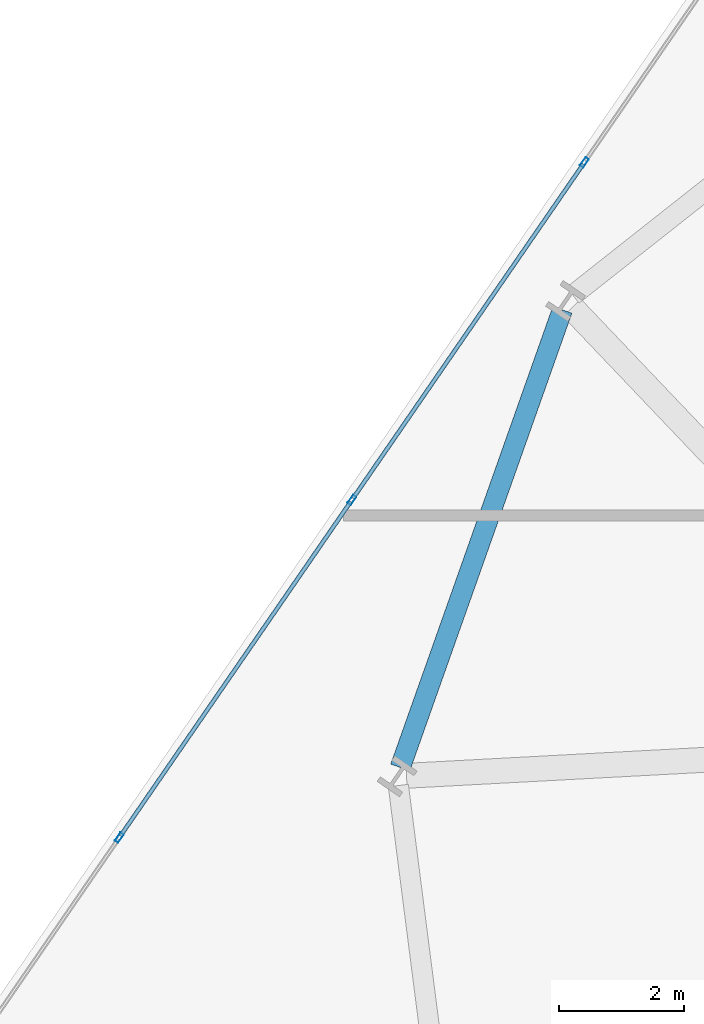
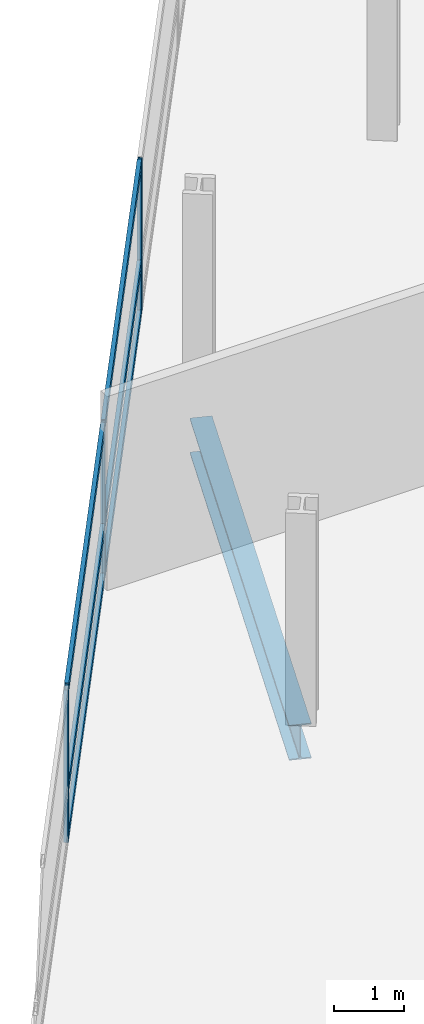
# One storey, part 4 of 24: 9 members, 1 beam, 1 element without a shape of its own.
"""IFC4 building model written with IfcOpenShell, lengths in metres."""

from ifc_helpers import new_model, si_unit, direction, frame, origin, origin_2d, place, context, subcontext, project, spatial, hollow_rectangle, i_section, extrude, material, layer, layer_set, material_profile, profile_set, type_object, element, aggregate, save


model = new_model("IFC4")

# Units and contexts
model_context = context("Model", 3, precision=1e-05, world=origin(), true_north=direction((0.0, 1.0)))
body_context = subcontext(model_context, "Body", "Model", "MODEL_VIEW")
ifc_project = project(units=[si_unit("LENGTHUNIT", "METRE"), si_unit("AREAUNIT", "SQUARE_METRE"), si_unit("VOLUMEUNIT", "CUBIC_METRE"), si_unit("PLANEANGLEUNIT", "RADIAN"), si_unit("MASSUNIT", "GRAM", prefix="KILO")], contexts=[model_context])

# Site, building, storey
site_placement = place(None, origin())
site = spatial("IfcSite", under=ifc_project, at=site_placement, CompositionType="ELEMENT")
building_placement = place(site_placement, origin())
building = spatial("IfcBuilding", under=site, at=building_placement, Name="Varnelok Gate Tower", CompositionType="ELEMENT")
storey_placement = place(building_placement, frame((0.0, 0.0, 67.699951171875)))
storey = spatial("IfcBuildingStorey", under=building, at=storey_placement, Name="L16", CompositionType="ELEMENT", Elevation=67.699951171875)

# Beam
ifc_material_1 = material(Name="Structural Steel ASTM A992 Grade 50", Category="steel")
ifc_material_profile_1 = material_profile(ifc_material_1, i_section(OverallWidth=0.323974609375, OverallDepth=0.611083984375, WebThickness=0.0126953125, FlangeThickness=0.01904296875, FilletRadius=0.01806640625, at=origin_2d()), Name="W24X104")
ifc_profile_set_1 = profile_set([ifc_material_profile_1], Name="Structural Steel ASTM A992 Grade 50")
beam_type = type_object("IfcBeamType", Name="BM-SPN-W24X104", PredefinedType="SPANDREL", material=ifc_profile_set_1)
beam_placement = place(storey_placement, frame((6.679931640625, 45.09619140625, -0.555419921875), z_axis=(-0.333877359029, -0.942616522838, 0.0), x_axis=(0.942616522838, -0.333877359029, 0.0)))
element("IfcBeam", 1, at=beam_placement, inside=storey, type_object=beam_type, Name="L16 Perimeter Spandrel Beam 15", PredefinedType="SPANDREL", context=body_context, shape_type="SweptSolid", body=[
    extrude(i_section(OverallWidth=0.323974609375, OverallDepth=0.611083984375, WebThickness=0.0126953125, FlangeThickness=0.01904296875, FilletRadius=0.01806640625, at=origin_2d()), origin(), (0.0, 0.0, 1.0), 7.77734375),
])

# Curtain wall, members
ifc_material_2 = material(Name="Anodized Aluminum Alloy 6063-T6", Category="aluminium")
ifc_layer = layer(ifc_material_2, 0.179931640625)
ifc_layer_set = layer_set([ifc_layer], Name="Anodized Aluminum Alloy 6063-T6")
curtain_wall_type = type_object("IfcCurtainWallType", Name="CW3-HOTEL-VISION", PredefinedType="USERDEFINED", material=ifc_layer_set)
curtain_wall_placement = place(storey_placement, origin())
curtain_wall = element("IfcCurtainWall", 2, at=curtain_wall_placement, inside=storey, type_object=curtain_wall_type, Name="L16 West End Vision Curtain Wall", ObjectType="UNITISED CURTAIN WALL", PredefinedType="USERDEFINED")
ifc_material_profile_2 = material_profile(ifc_material_2, hollow_rectangle(XDim=0.06494140625, YDim=0.159912109375, WallThickness=0.00390625, at=origin_2d()), Name="ALU160X65X4")
ifc_profile_set_2 = profile_set([ifc_material_profile_2], Name="Anodized Aluminum Alloy 6063-T6")
member_type_1 = type_object("IfcMemberType", Name="CW-MULL-160", PredefinedType="MULLION", material=ifc_profile_set_2)
member_1_placement = place(storey_placement, frame((-0.417236328125, 36.641845703125, 0.0), z_axis=(0.0, 0.0, 1.0), x_axis=(-0.823532685111, 0.567268822124, 0.0)))
member_1 = element("IfcMember", 3, at=member_1_placement, type_object=member_type_1, Name="CW3 mullion 2", PredefinedType="MULLION", context=body_context, shape_type="SweptSolid", body=[
    extrude(hollow_rectangle(XDim=0.06494140625, YDim=0.159912109375, WallThickness=0.00390625, at=origin_2d()), origin(), (0.0, 0.0, 1.0), 2.66015625),
])
member_2_placement = place(storey_placement, frame((3.3076171875, 42.049560546875, 0.0), z_axis=(0.0, 0.0, 1.0), x_axis=(-0.823532685111, 0.567268822124, 0.0)))
member_2 = element("IfcMember", 4, at=member_2_placement, type_object=member_type_1, Name="CW3 mullion 3", PredefinedType="MULLION", context=body_context, shape_type="SweptSolid", body=[
    extrude(hollow_rectangle(XDim=0.06494140625, YDim=0.159912109375, WallThickness=0.00390625, at=origin_2d()), origin(), (0.0, 0.0, 1.0), 2.66015625),
])
member_3_placement = place(storey_placement, frame((7.03271484375, 47.45751953125, 0.0), z_axis=(0.0, 0.0, 1.0), x_axis=(-0.823532685111, 0.567268822124, 0.0)))
member_3 = element("IfcMember", 5, at=member_3_placement, type_object=member_type_1, Name="CW3 mullion 4", PredefinedType="MULLION", context=body_context, shape_type="SweptSolid", body=[
    extrude(hollow_rectangle(XDim=0.06494140625, YDim=0.159912109375, WallThickness=0.00390625, at=origin_2d()), origin(), (0.0, 0.0, 1.0), 2.66015625),
])
ifc_material_profile_3 = material_profile(ifc_material_2, hollow_rectangle(XDim=0.06494140625, YDim=0.159912109375, WallThickness=0.00390625, at=origin_2d()), Name="ALU160X65X4")
ifc_profile_set_3 = profile_set([ifc_material_profile_3], Name="Anodized Aluminum Alloy 6063-T6")
member_type_2 = type_object("IfcMemberType", Name="CW-TRAN-160", PredefinedType="USERDEFINED", material=ifc_profile_set_3)
member_4_placement = place(storey_placement, frame((-0.39892578125, 36.66845703125, 0.032470703125), z_axis=(0.567261662339, 0.823537616894, 0.0), x_axis=(-0.823537616894, 0.567261662339, 0.0)))
member_4 = element("IfcMember", 6, at=member_4_placement, type_object=member_type_2, Name="CW3 transom 2.1", ObjectType="TRANSOM", PredefinedType="USERDEFINED", context=body_context, shape_type="SweptSolid", body=[
    extrude(hollow_rectangle(XDim=0.06494140625, YDim=0.159912109375, WallThickness=0.00390625, at=origin_2d()), origin(), (0.0, 0.0, 1.0), 6.501708984375),
])
member_5_placement = place(storey_placement, frame((-0.39892578125, 36.66845703125, 0.900146484375), z_axis=(0.567261662339, 0.823537616894, 0.0), x_axis=(-0.823537616894, 0.567261662339, 0.0)))
member_5 = element("IfcMember", 7, at=member_5_placement, type_object=member_type_2, Name="CW3 transom 2.2", ObjectType="TRANSOM", PredefinedType="USERDEFINED", context=body_context, shape_type="SweptSolid", body=[
    extrude(hollow_rectangle(XDim=0.06494140625, YDim=0.159912109375, WallThickness=0.00390625, at=origin_2d()), origin(), (0.0, 0.0, 1.0), 6.501708984375),
])
member_6_placement = place(storey_placement, frame((-0.39892578125, 36.66845703125, 2.62744140625), z_axis=(0.567261662339, 0.823537616894, 0.0), x_axis=(-0.823537616894, 0.567261662339, 0.0)))
member_6 = element("IfcMember", 8, at=member_6_placement, type_object=member_type_2, Name="CW3 transom 2.3", ObjectType="TRANSOM", PredefinedType="USERDEFINED", context=body_context, shape_type="SweptSolid", body=[
    extrude(hollow_rectangle(XDim=0.06494140625, YDim=0.159912109375, WallThickness=0.00390625, at=origin_2d()), origin(), (0.0, 0.0, 1.0), 6.501708984375),
])
member_7_placement = place(storey_placement, frame((3.326171875, 42.076416015625, 0.032470703125), z_axis=(0.567279204469, 0.823525533409, 0.0), x_axis=(-0.823525533409, 0.567279204469, 0.0)))
member_7 = element("IfcMember", 9, at=member_7_placement, type_object=member_type_2, Name="CW3 transom 3.1", ObjectType="TRANSOM", PredefinedType="USERDEFINED", context=body_context, shape_type="SweptSolid", body=[
    extrude(hollow_rectangle(XDim=0.06494140625, YDim=0.159912109375, WallThickness=0.00390625, at=origin_2d()), origin(), (0.0, 0.0, 1.0), 6.501708984375),
])
member_8_placement = place(storey_placement, frame((3.326171875, 42.076416015625, 0.900146484375), z_axis=(0.567279204469, 0.823525533409, 0.0), x_axis=(-0.823525533409, 0.567279204469, 0.0)))
member_8 = element("IfcMember", 10, at=member_8_placement, type_object=member_type_2, Name="CW3 transom 3.2", ObjectType="TRANSOM", PredefinedType="USERDEFINED", context=body_context, shape_type="SweptSolid", body=[
    extrude(hollow_rectangle(XDim=0.06494140625, YDim=0.159912109375, WallThickness=0.00390625, at=origin_2d()), origin(), (0.0, 0.0, 1.0), 6.501708984375),
])
member_9_placement = place(storey_placement, frame((3.326171875, 42.076416015625, 2.62744140625), z_axis=(0.567279204469, 0.823525533409, 0.0), x_axis=(-0.823525533409, 0.567279204469, 0.0)))
member_9 = element("IfcMember", 11, at=member_9_placement, type_object=member_type_2, Name="CW3 transom 3.3", ObjectType="TRANSOM", PredefinedType="USERDEFINED", context=body_context, shape_type="SweptSolid", body=[
    extrude(hollow_rectangle(XDim=0.06494140625, YDim=0.159912109375, WallThickness=0.00390625, at=origin_2d()), origin(), (0.0, 0.0, 1.0), 6.501708984375),
])
aggregate(curtain_wall, [member_1, member_2, member_3, member_4, member_5, member_6, member_7, member_8, member_9])

save(model, "model.ifc")
